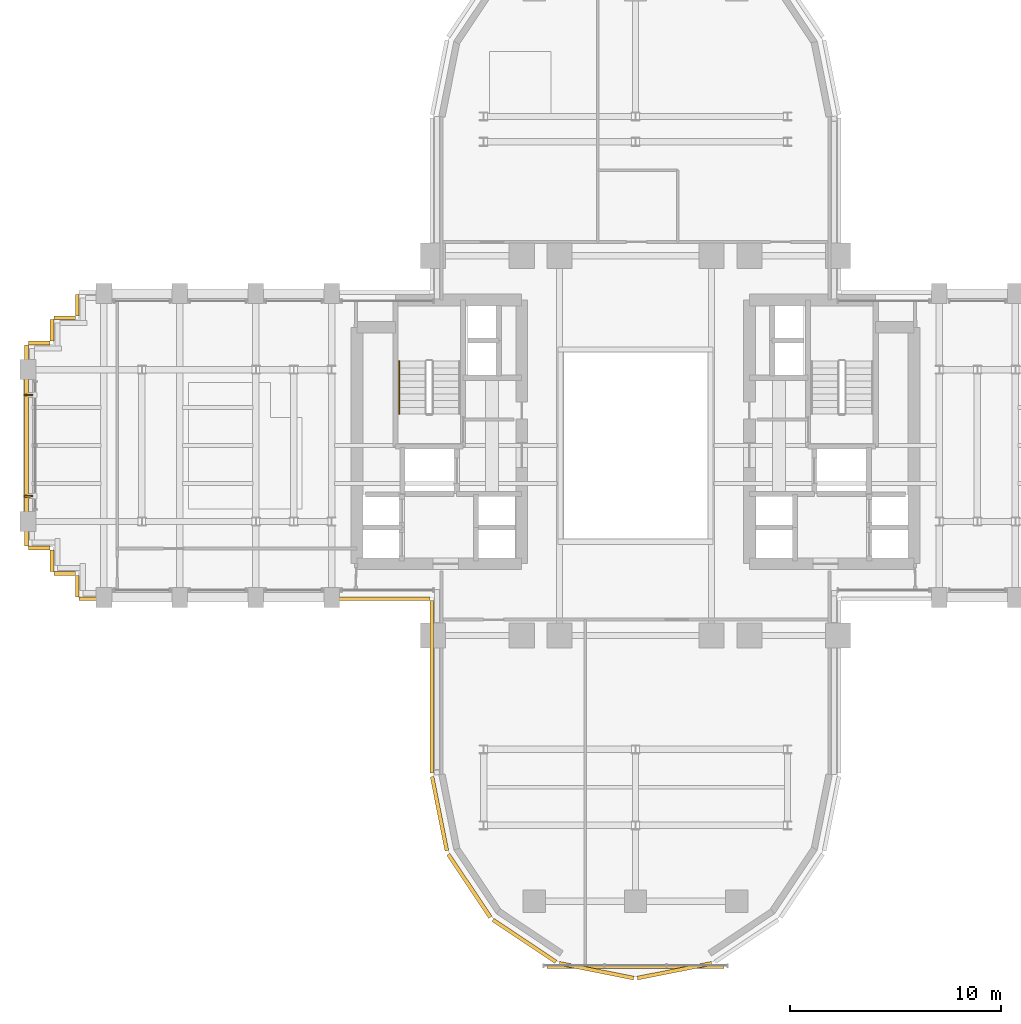
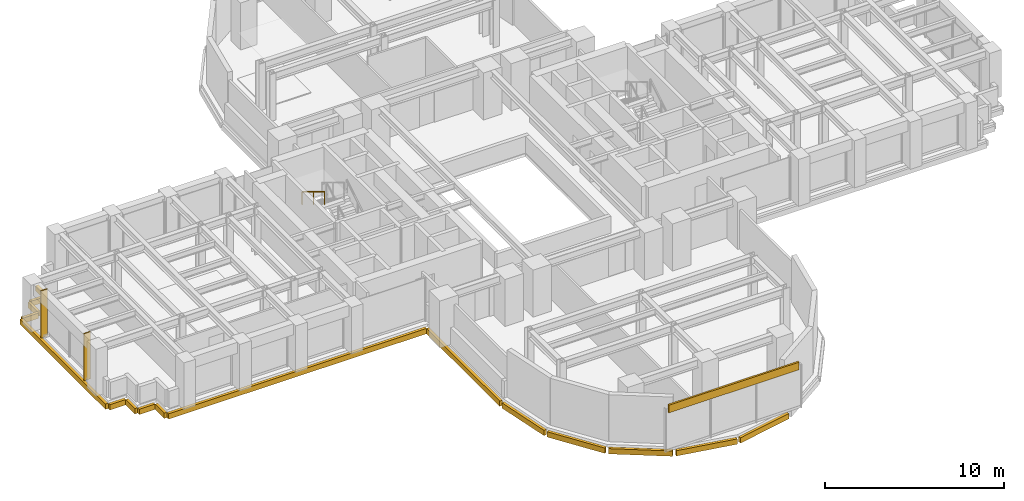
# One storey, part 13 of 16: 17 coverings, 2 shading devices, 1 railing.
"""IFC4 building model written with IfcOpenShell, lengths in metres."""

from ifc_helpers import new_model, si_unit, direction, frame, origin, origin_2d, place, context, subcontext, project, spatial, rectangle, extrude, source, transform, mapped, material, layer, layer_set, type_object, element, save


model = new_model("IFC4")

# Units and contexts
model_context = context("Model", 3, precision=1e-05, world=origin(), true_north=direction((0.0, 1.0)))
body_context = subcontext(model_context, "Body", "Model", "MODEL_VIEW")
ifc_project = project(units=[si_unit("LENGTHUNIT", "METRE"), si_unit("AREAUNIT", "SQUARE_METRE"), si_unit("VOLUMEUNIT", "CUBIC_METRE"), si_unit("PLANEANGLEUNIT", "RADIAN"), si_unit("MASSUNIT", "GRAM", prefix="KILO")], contexts=[model_context])

# Site, building, storey
site_placement = place(None, origin())
site = spatial("IfcSite", under=ifc_project, at=site_placement, CompositionType="ELEMENT")
building_placement = place(site_placement, origin())
building = spatial("IfcBuilding", under=site, at=building_placement, Name="Keilestroom Media Tower", CompositionType="ELEMENT")
storey_placement = place(building_placement, frame((0.0, 0.0, 30.60009765625)))
storey = spatial("IfcBuildingStorey", under=building, at=storey_placement, Name="L06", CompositionType="ELEMENT", Elevation=30.60009765625)

# Railing
ifc_material_1 = material(Name="Brushed Stainless Steel 1.4301", Category="steel")
railing_type = type_object("IfcRailingType", Name="Stair-Pitch-Handrail-920", PredefinedType="HANDRAIL", material=ifc_material_1)
railing_placement = place(storey_placement, frame((-11.2099609375, 3.99609375, 1.888671875)))
element("IfcRailing", 1, at=railing_placement, inside=storey, type_object=railing_type, Name="L06 ST-1 stair handrail 2", PredefinedType="HANDRAIL", context=body_context, shape_type="SweptSolid", body=[
    extrude(rectangle(XDim=0.048095703125, YDim=0.048095703125, at=origin_2d()), frame((0.0, 0.0, 0.8759765625), z_axis=(0.0, -0.855433747314, 0.517912255074), x_axis=(1.0, 0.0, 0.0)), (0.0, 0.0, 1.0), 2.91796875),
    extrude(rectangle(XDim=0.0419921875, YDim=0.0419921875, at=origin_2d()), origin(), (0.0, 0.0, 1.0), 0.84375),
    extrude(rectangle(XDim=0.0419921875, YDim=0.0419921875, at=origin_2d()), frame((0.0, -1.248046875, 0.755615234375)), (0.0, 0.0, 1.0), 0.84375),
    extrude(rectangle(XDim=0.0419921875, YDim=0.0419921875, at=origin_2d()), frame((0.0, -2.49609375, 1.51123046875)), (0.0, 0.0, 1.0), 0.84375),
])

# Covering
ifc_material_2 = material(Name="Precast concrete C40/50", Category="concrete")
ifc_layer = layer(ifc_material_2, 0.1201171875)
ifc_layer_set = layer_set([ifc_layer], Name="Precast concrete C40/50")
covering_type = type_object("IfcCoveringType", Name="Exterior-Precast-Spandrel-Cladding-Panel-120", PredefinedType="CLADDING", material=ifc_layer_set)
shared_shape_1 = source(origin(), body_context, "Body", "SweptSolid", [
    extrude(rectangle(XDim=8.39990234375, YDim=0.1201171875, at=origin_2d()), origin(), (0.0, 0.0, 1.0), 0.52001953125),
])
covering_1_placement = place(storey_placement, frame((0.0, -24.719970703125, 2.68994140625), z_axis=(0.0, 0.0, 1.0), x_axis=(1.0, 0.0, 0.0)))
element("IfcCovering", 2, at=covering_1_placement, inside=storey, type_object=covering_type, Name="L06 Precast Spandrel Cladding S", PredefinedType="CLADDING", context=body_context, shape_type="MappedRepresentation", body=[
    mapped(shared_shape_1, transform((0.0, 0.0, 0.0), x_axis=(1.0, 0.0, 0.0), y_axis=(0.0, 1.0, 0.0), z_axis=(0.0, 0.0, 1.0), scale=1.0)),
])

# Shading devices
ifc_material_3 = material(Name="Bronze Anodised Aluminium", Category="aluminium")
shading_device_type = type_object("IfcShadingDeviceType", Name="Facade-Vertical-Sunshade-Fin-SHD-1", PredefinedType="USERDEFINED", material=ifc_material_3)
shared_shape_2 = source(origin(), body_context, "Body", "SweptSolid", [
    extrude(rectangle(XDim=0.419921875, YDim=0.080078125, at=origin_2d()), origin(), (0.0, 0.0, 1.0), 3.199951171875),
])
for number, where, z_axis, x_axis, name in (
    (3, (-28.77001953125, -2.39990234375, 0.0), (0.0, 0.0, 1.0), (0.999853726281, 0.017103392695, 0.0), "L06 Twisting Sunshade Fin SHD-1 001"),
    (4, (-28.77001953125, 2.39990234375, 0.0), (0.0, 0.0, 1.0), (0.999853726281, 0.017103392695, 0.0), "L06 Twisting Sunshade Fin SHD-1 002"),
):
    element("IfcShadingDevice", number, at=place(storey_placement, frame(where, z_axis=z_axis, x_axis=x_axis)), inside=storey, type_object=shading_device_type, Name=name, ObjectType="SUNSHADE", PredefinedType="USERDEFINED", context=body_context, shape_type="MappedRepresentation", body=[
        mapped(shared_shape_2, transform((0.0, 0.0, 0.0), x_axis=(1.0, 0.0, 0.0), y_axis=(0.0, 1.0, 0.0), z_axis=(0.0, 0.0, 1.0), scale=1.0)),
    ])

# Coverings
shared_shape_3 = source(origin(), body_context, "Body", "SweptSolid", [
    extrude(rectangle(XDim=1.02001953125, YDim=0.179931640625, at=origin_2d()), origin(), (0.0, 0.0, 1.0), 0.360107421875),
])
for number, where, z_axis, x_axis, name in (
    (5, (-26.4599609375, -6.659912109375, -0.5400390625), (0.0, 0.0, 1.0), (0.0, 1.0, 0.0), "L06 Precast Slab-Edge Fascia Cornice 17"),
    (6, (-27.06005859375, -6.06005859375, -0.5400390625), (0.0, 0.0, 1.0), (-1.0, 0.0, 0.0), "L06 Precast Slab-Edge Fascia Cornice 18"),
    (7, (-27.659912109375, -5.4599609375, -0.5400390625), (0.0, 0.0, 1.0), (0.0, 1.0, 0.0), "L06 Precast Slab-Edge Fascia Cornice 19"),
    (8, (-28.260009765625, -4.860107421875, -0.5400390625), (0.0, 0.0, 1.0), (-1.0, 0.0, 0.0), "L06 Precast Slab-Edge Fascia Cornice 20"),
    (9, (-28.260009765625, 4.860107421875, -0.5400390625), (0.0, 0.0, 1.0), (1.0, 0.0, 0.0), "L06 Precast Slab-Edge Fascia Cornice 22"),
    (10, (-27.659912109375, 5.4599609375, -0.5400390625), (0.0, 0.0, 1.0), (0.0, 1.0, 0.0), "L06 Precast Slab-Edge Fascia Cornice 23"),
    (11, (-27.06005859375, 6.06005859375, -0.5400390625), (0.0, 0.0, 1.0), (1.0, 0.0, 0.0), "L06 Precast Slab-Edge Fascia Cornice 24"),
    (12, (-26.4599609375, 6.659912109375, -0.5400390625), (0.0, 0.0, 1.0), (0.0, 1.0, 0.0), "L06 Precast Slab-Edge Fascia Cornice 25"),
):
    element("IfcCovering", number, at=place(storey_placement, frame(where, z_axis=z_axis, x_axis=x_axis)), inside=storey, type_object=covering_type, Name=name, PredefinedType="CLADDING", context=body_context, shape_type="MappedRepresentation", body=[
        mapped(shared_shape_3, transform((0.0, 0.0, 0.0), x_axis=(1.0, 0.0, 0.0), y_axis=(0.0, 1.0, 0.0), z_axis=(0.0, 0.0, 1.0), scale=1.0)),
    ])
shared_shape_4 = source(origin(), body_context, "Body", "SweptSolid", [
    extrude(rectangle(XDim=16.6201171875, YDim=0.179931640625, at=origin_2d()), origin(), (0.0, 0.0, 1.0), 0.360107421875),
])
covering_2_placement = place(storey_placement, frame((-18.06005859375, -7.260009765625, -0.5400390625), z_axis=(0.0, 0.0, 1.0), x_axis=(-1.0, 0.0, 0.0)))
element("IfcCovering", 13, at=covering_2_placement, inside=storey, type_object=covering_type, Name="L06 Precast Slab-Edge Fascia Cornice 16", PredefinedType="CLADDING", context=body_context, shape_type="MappedRepresentation", body=[
    mapped(shared_shape_4, transform((0.0, 0.0, 0.0), x_axis=(1.0, 0.0, 0.0), y_axis=(0.0, 1.0, 0.0), z_axis=(0.0, 0.0, 1.0), scale=1.0)),
])
shared_shape_5 = source(origin(), body_context, "Body", "SweptSolid", [
    extrude(rectangle(XDim=8.166015625, YDim=0.179931640625, at=origin_2d()), origin(), (0.0, 0.0, 1.0), 0.360107421875),
])
covering_3_placement = place(storey_placement, frame((-9.659912109375, -11.43310546875, -0.5400390625), z_axis=(0.0, 0.0, 1.0), x_axis=(0.0, 1.0, 0.0)))
element("IfcCovering", 14, at=covering_3_placement, inside=storey, type_object=covering_type, Name="L06 Precast Slab-Edge Fascia Cornice 15", PredefinedType="CLADDING", context=body_context, shape_type="MappedRepresentation", body=[
    mapped(shared_shape_5, transform((0.0, 0.0, 0.0), x_axis=(1.0, 0.0, 0.0), y_axis=(0.0, 1.0, 0.0), z_axis=(0.0, 0.0, 1.0), scale=1.0)),
])
shared_shape_6 = source(origin(), body_context, "Body", "SweptSolid", [
    extrude(rectangle(XDim=3.58349609375, YDim=0.179931640625, at=origin_2d()), origin(), (0.0, 0.0, 1.0), 0.360107421875),
])
covering_4_placement = place(storey_placement, frame((-9.29296875, -17.45166015625, -0.5400390625), z_axis=(0.0, 0.0, 1.0), x_axis=(-0.195098880975, 0.980783577882, 0.0)))
element("IfcCovering", 15, at=covering_4_placement, inside=storey, type_object=covering_type, Name="L06 Precast Slab-Edge Fascia Cornice 14", PredefinedType="CLADDING", context=body_context, shape_type="MappedRepresentation", body=[
    mapped(shared_shape_6, transform((0.0, 0.0, 0.0), x_axis=(1.0, 0.0, 0.0), y_axis=(0.0, 1.0, 0.0), z_axis=(0.0, 0.0, 1.0), scale=1.0)),
])
shared_shape_7 = source(origin(), body_context, "Body", "SweptSolid", [
    extrude(rectangle(XDim=3.589599609375, YDim=0.179931640625, at=origin_2d()), origin(), (0.0, 0.0, 1.0), 0.360107421875),
])
for number, where, z_axis, x_axis, name in (
    (16, (1.8486328125, -24.893310546875, -0.5400390625), (0.0, 0.0, 1.0), (-0.980783577882, -0.195098880975, 0.0), "L06 Precast Slab-Edge Fascia Cornice 10"),
    (17, (-1.8486328125, -24.893310546875, -0.5400390625), (0.0, 0.0, 1.0), (-0.980783577882, 0.195098880975, 0.0), "L06 Precast Slab-Edge Fascia Cornice 11"),
    (18, (-5.264404296875, -23.478515625, -0.5400390625), (0.0, 0.0, 1.0), (-0.831466703332, 0.555574586577, 0.0), "L06 Precast Slab-Edge Fascia Cornice 12"),
    (19, (-7.878662109375, -20.8642578125, -0.5400390625), (0.0, 0.0, 1.0), (-0.555574586577, 0.831466703332, 0.0), "L06 Precast Slab-Edge Fascia Cornice 13"),
):
    element("IfcCovering", number, at=place(storey_placement, frame(where, z_axis=z_axis, x_axis=x_axis)), inside=storey, type_object=covering_type, Name=name, PredefinedType="CLADDING", context=body_context, shape_type="MappedRepresentation", body=[
        mapped(shared_shape_7, transform((0.0, 0.0, 0.0), x_axis=(1.0, 0.0, 0.0), y_axis=(0.0, 1.0, 0.0), z_axis=(0.0, 0.0, 1.0), scale=1.0)),
    ])
shared_shape_8 = source(origin(), body_context, "Body", "SweptSolid", [
    extrude(rectangle(XDim=9.5400390625, YDim=0.179931640625, at=origin_2d()), origin(), (0.0, 0.0, 1.0), 0.360107421875),
])
covering_5_placement = place(storey_placement, frame((-28.860107421875, 0.0, -0.5400390625), z_axis=(0.0, 0.0, 1.0), x_axis=(0.0, 1.0, 0.0)))
element("IfcCovering", 20, at=covering_5_placement, inside=storey, type_object=covering_type, Name="L06 Precast Slab-Edge Fascia Cornice 21", PredefinedType="CLADDING", context=body_context, shape_type="MappedRepresentation", body=[
    mapped(shared_shape_8, transform((0.0, 0.0, 0.0), x_axis=(1.0, 0.0, 0.0), y_axis=(0.0, 1.0, 0.0), z_axis=(0.0, 0.0, 1.0), scale=1.0)),
])

save(model, "model.ifc")
